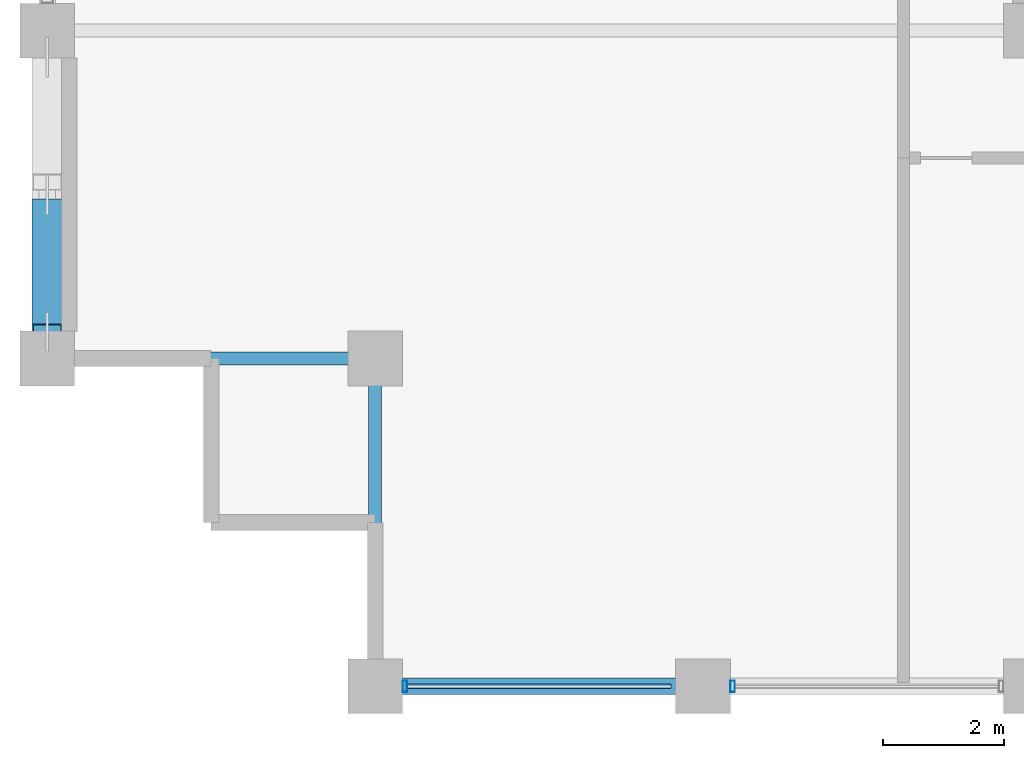
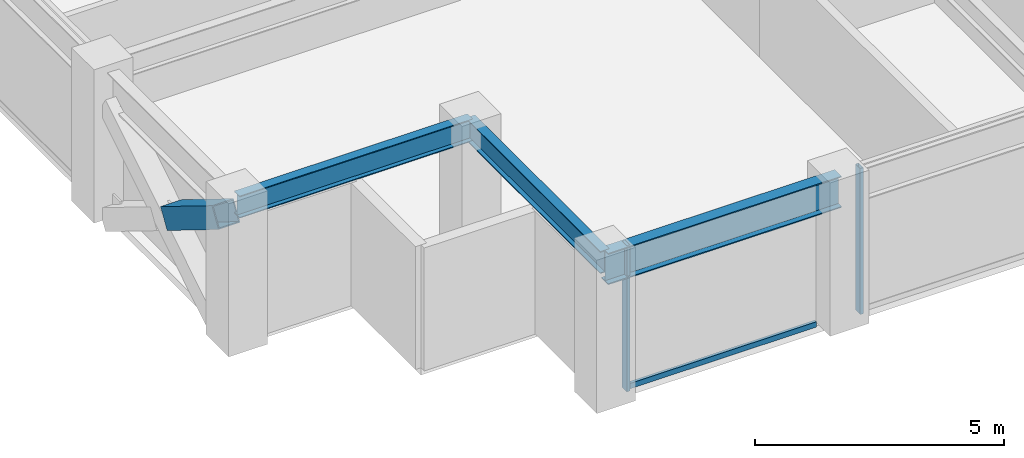
# One storey, part 2 of 32: 4 members, 3 beams, 1 element without a shape of its own.
"""IFC4 building model written with IfcOpenShell, lengths in metres."""

from ifc_helpers import new_model, si_unit, direction, frame, origin, origin_2d, place, context, subcontext, project, spatial, hollow_rectangle, i_section, extrude, material, layer, layer_set, material_profile, profile_set, type_object, element, aggregate, save


model = new_model("IFC4")

# Units and contexts
model_context = context("Model", 3, precision=1e-05, world=origin(), true_north=direction((0.0, 1.0)))
body_context = subcontext(model_context, "Body", "Model", "MODEL_VIEW")
ifc_project = project(units=[si_unit("LENGTHUNIT", "METRE"), si_unit("AREAUNIT", "SQUARE_METRE"), si_unit("VOLUMEUNIT", "CUBIC_METRE"), si_unit("PLANEANGLEUNIT", "RADIAN"), si_unit("MASSUNIT", "GRAM", prefix="KILO")], contexts=[model_context])

# Site, building, storey
site_placement = place(None, origin())
site = spatial("IfcSite", under=ifc_project, at=site_placement, CompositionType="ELEMENT")
building_placement = place(site_placement, origin())
building = spatial("IfcBuilding", under=site, at=building_placement, Name="Surkhivell Harbour Commons", CompositionType="ELEMENT")
storey_placement = place(building_placement, frame((0.0, 0.0, 204.75)))
storey = spatial("IfcBuildingStorey", under=building, at=storey_placement, Name="L53", CompositionType="ELEMENT", Elevation=204.75)

# Beams
ifc_material_1 = material(Name="Steel S355", Category="steel")
ifc_material_profile_1 = material_profile(ifc_material_1, i_section(OverallWidth=0.2119140625, OverallDepth=0.5439453125, WebThickness=0.0126953125, FlangeThickness=0.021240234375, at=origin_2d()), Name="UB533x210x122")
ifc_profile_set_1 = profile_set([ifc_material_profile_1], Name="Steel S355")
beam_type_1 = type_object("IfcBeamType", Name="BM-GRD-533A", PredefinedType="BEAM", material=ifc_profile_set_1)
beam_1_placement = place(storey_placement, frame((-27.0, -16.199951171875, 3.298095703125), z_axis=(1.0, 0.0, 0.0), x_axis=(0.0, 1.0, 0.0)))
element("IfcBeam", 1, at=beam_1_placement, inside=storey, type_object=beam_type_1, Name="L53 Floor Girder (-27.0,-16.2)", PredefinedType="BEAM", context=body_context, shape_type="SweptSolid", body=[
    extrude(i_section(OverallWidth=0.2119140625, OverallDepth=0.5439453125, WebThickness=0.0126953125, FlangeThickness=0.021240234375, at=origin_2d()), origin(), (0.0, 0.0, 1.0), 5.39990234375),
])
beam_2_placement = place(storey_placement, frame((-21.60009765625, -21.60009765625, 3.298095703125), z_axis=(0.0, 1.0, 0.0), x_axis=(-1.0, 0.0, 0.0)))
element("IfcBeam", 2, at=beam_2_placement, inside=storey, type_object=beam_type_1, Name="L53 Floor Girder (-21.6,-21.6)", PredefinedType="BEAM", context=body_context, shape_type="SweptSolid", body=[
    extrude(i_section(OverallWidth=0.2119140625, OverallDepth=0.5439453125, WebThickness=0.0126953125, FlangeThickness=0.021240234375, at=origin_2d()), origin(), (0.0, 0.0, 1.0), 5.400146484375),
])
ifc_material_profile_2 = material_profile(ifc_material_1, i_section(OverallWidth=0.26806640625, OverallDepth=0.77001953125, WebThickness=0.015625, FlangeThickness=0.025390625, at=origin_2d()), Name="UB762x267x197")
ifc_profile_set_2 = profile_set([ifc_material_profile_2], Name="Steel S355")
beam_type_2 = type_object("IfcBeamType", Name="BM-SPN-762", PredefinedType="SPANDREL", material=ifc_profile_set_2)
beam_3_placement = place(storey_placement, frame((-21.60009765625, -21.60009765625, 3.18505859375), z_axis=(1.0, 0.0, 0.0), x_axis=(0.0, 1.0, 0.0)))
element("IfcBeam", 3, at=beam_3_placement, inside=storey, type_object=beam_type_2, Name="L53 Tube Spandrel (-21.6,-21.6)", PredefinedType="SPANDREL", context=body_context, shape_type="SweptSolid", body=[
    extrude(i_section(OverallWidth=0.26806640625, OverallDepth=0.77001953125, WebThickness=0.015625, FlangeThickness=0.025390625, at=origin_2d()), origin(), (0.0, 0.0, 1.0), 5.400146484375),
])

# Curtain wall, members
ifc_material_2 = material(Name="Anodised pale-metal aluminium and insulated glazing", Category="aluminium")
ifc_layer = layer(ifc_material_2, 0.18994140625)
ifc_layer_set = layer_set([ifc_layer], Name="Anodised pale-metal aluminium and insulated glazing")
curtain_wall_type = type_object("IfcCurtainWallType", Name="CW-SYS-Z3", PredefinedType="NOTDEFINED", material=ifc_layer_set)
curtain_wall_placement = place(storey_placement, origin())
curtain_wall = element("IfcCurtainWall", 4, at=curtain_wall_placement, inside=storey, type_object=curtain_wall_type, Name="L53 Curtain Wall CW-L53-E00S1", PredefinedType="NOTDEFINED")
ifc_material_3 = material(Name="Anodised pale-metal aluminium alloy 6063-T6", Category="aluminium")
ifc_material_profile_3 = material_profile(ifc_material_3, hollow_rectangle(XDim=0.074951171875, YDim=0.18994140625, WallThickness=0.00390625, at=origin_2d()), Name="ALU-MULL-75x190")
ifc_profile_set_3 = profile_set([ifc_material_profile_3], Name="Anodised pale-metal aluminium alloy 6063-T6")
member_type_1 = type_object("IfcMemberType", Name="CWM-190", PredefinedType="MULLION", material=ifc_profile_set_3)
member_1_placement = place(storey_placement, frame((-21.110595703125, -21.60009765625, 0.0), z_axis=(0.0, 0.0, 1.0), x_axis=(1.0, 0.0, 0.0)))
member_1 = element("IfcMember", 5, at=member_1_placement, type_object=member_type_1, Name="CW-Z3 mullion 1", PredefinedType="MULLION", context=body_context, shape_type="SweptSolid", body=[
    extrude(hollow_rectangle(XDim=0.074951171875, YDim=0.18994140625, WallThickness=0.00390625, at=origin_2d()), origin(), (0.0, 0.0, 1.0), 3.570068359375),
])
member_2_placement = place(storey_placement, frame((-15.71044921875, -21.60009765625, 0.0), z_axis=(0.0, 0.0, 1.0), x_axis=(1.0, 0.0, 0.0)))
member_2 = element("IfcMember", 6, at=member_2_placement, type_object=member_type_1, Name="CW-Z3 mullion 2", PredefinedType="MULLION", context=body_context, shape_type="SweptSolid", body=[
    extrude(hollow_rectangle(XDim=0.074951171875, YDim=0.18994140625, WallThickness=0.00390625, at=origin_2d()), origin(), (0.0, 0.0, 1.0), 3.570068359375),
])
ifc_material_4 = material(Name="Champagne anodised aluminium alloy 6063-T6", Category="aluminium")
ifc_material_profile_4 = material_profile(ifc_material_4, hollow_rectangle(XDim=0.070068359375, YDim=0.1298828125, WallThickness=0.00341796875, at=origin_2d()), Name="ALU-TRAN-70x130")
ifc_profile_set_4 = profile_set([ifc_material_profile_4], Name="Champagne anodised aluminium alloy 6063-T6")
member_type_2 = type_object("IfcMemberType", Name="CWT-130", PredefinedType="USERDEFINED", material=ifc_profile_set_4)
member_3_placement = place(storey_placement, frame((-21.072998046875, -21.60009765625, 0.06494140625), z_axis=(1.0, 0.0, 0.0), x_axis=(0.0, 1.0, 0.0)))
member_3 = element("IfcMember", 7, at=member_3_placement, type_object=member_type_2, Name="CW-Z3 transom 1.1", ObjectType="TRANSOM", PredefinedType="USERDEFINED", context=body_context, shape_type="SweptSolid", body=[
    extrude(hollow_rectangle(XDim=0.070068359375, YDim=0.1298828125, WallThickness=0.00341796875, at=origin_2d()), origin(), (0.0, 0.0, 1.0), 4.345947265625),
])
aggregate(curtain_wall, [member_1, member_3, member_2])

# Member
ifc_material_5 = material(Name="Steel S460", Category="steel")
ifc_material_profile_5 = material_profile(ifc_material_5, hollow_rectangle(XDim=0.5, YDim=0.5, WallThickness=0.02490234375, at=origin_2d()), Name="SHS500x500x25")
ifc_profile_set_5 = profile_set([ifc_material_profile_5], Name="Steel S460")
member_type_3 = type_object("IfcMemberType", Name="MEM-BRC-SHS500", PredefinedType="BRACE", material=ifc_profile_set_5)
member_4_placement = place(storey_placement, frame((-27.0, -13.7041015625, 1.531982421875), z_axis=(0.0, -0.850958361341, 0.525233155146), x_axis=(1.0, 0.0, 0.0)))
element("IfcMember", 8, at=member_4_placement, inside=storey, type_object=member_type_3, Name="L53 Perimeter Mega-Brace MB- 12", PredefinedType="BRACE", context=body_context, shape_type="SweptSolid", body=[
    extrude(hollow_rectangle(XDim=0.5, YDim=0.5, WallThickness=0.02490234375, at=origin_2d()), origin(), (0.0, 0.0, 1.0), 2.421630859375),
])

save(model, "model.ifc")
